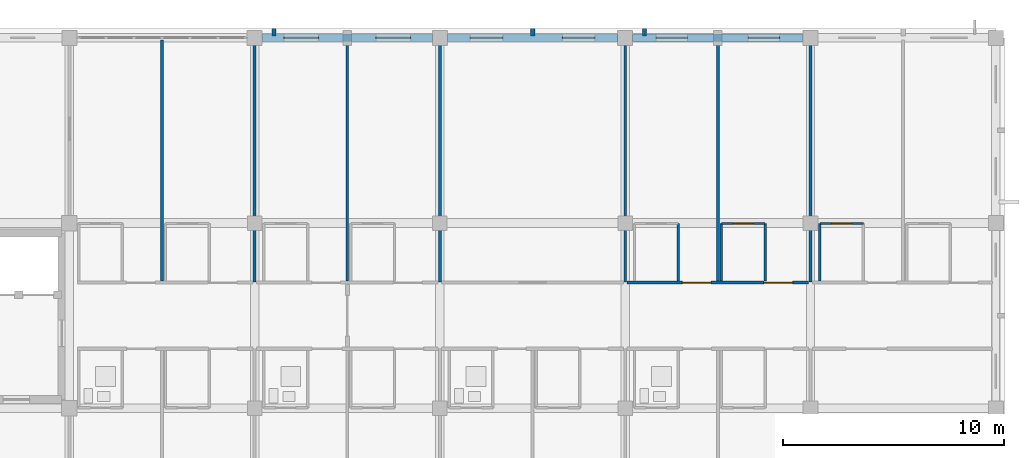
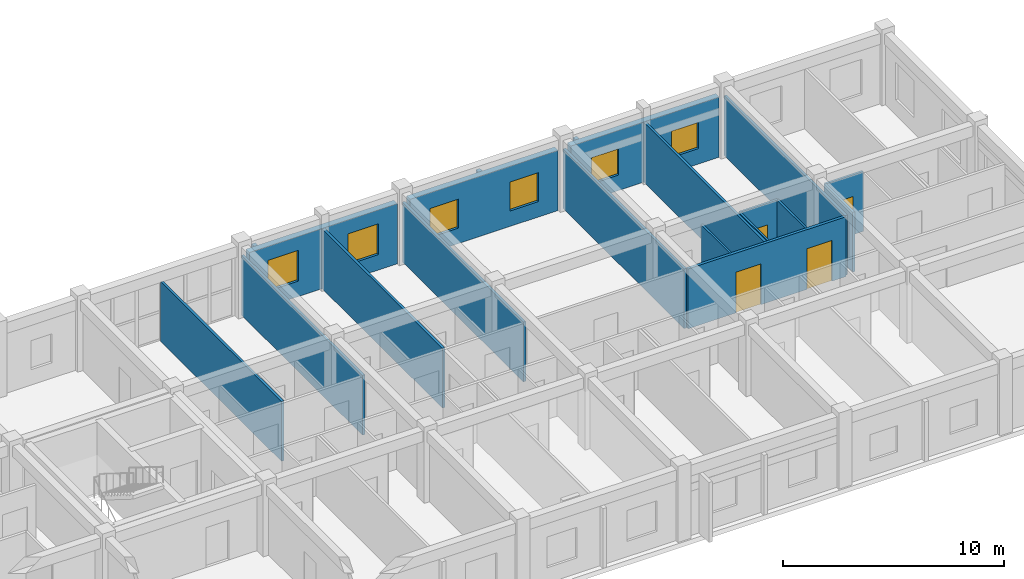
# One storey, part 123 of 140: 20 walls, 6 windows, 4 doors, 10 openings.
"""IFC4 building model written with IfcOpenShell, lengths in metres."""

from ifc_helpers import new_model, si_unit, direction, frame, frame_2d, origin, place, context, subcontext, project, spatial, rectangle, extrude, material, layer, layer_set, type_object, element, fill, save


model = new_model("IFC4")

# Units and contexts
model_context = context("Model", 3, precision=1e-05, world=origin(), true_north=direction((0.0, 1.0)))
body_context = subcontext(model_context, "Body", "Model", "MODEL_VIEW")
ifc_project = project(units=[si_unit("LENGTHUNIT", "METRE"), si_unit("AREAUNIT", "SQUARE_METRE"), si_unit("VOLUMEUNIT", "CUBIC_METRE"), si_unit("PLANEANGLEUNIT", "RADIAN"), si_unit("MASSUNIT", "GRAM", prefix="KILO")], contexts=[model_context])

# Site, building, storey
site_placement = place(None, origin())
site = spatial("IfcSite", under=ifc_project, at=site_placement, CompositionType="ELEMENT")
building_placement = place(site_placement, origin())
building = spatial("IfcBuilding", under=site, at=building_placement, Name="Trelvath General Hospital", CompositionType="ELEMENT")
storey_placement = place(building_placement, frame((0.0, 0.0, 16.199951171875)))
storey = spatial("IfcBuildingStorey", under=building, at=storey_placement, Name="L04", CompositionType="ELEMENT", Elevation=16.199951171875)

# Walls
ifc_material_1 = material(Name="Precast concrete C40/50", Category="concrete")
ifc_layer_1 = layer(ifc_material_1, 0.199951171875)
ifc_layer_set_1 = layer_set([ifc_layer_1], Name="Precast concrete C40/50")
wall_type_1 = type_object("IfcWallType", Name="BriseSoleilRib 200", PredefinedType="ELEMENTEDWALL", material=ifc_layer_set_1)
for number, where, z_axis, x_axis, name in (
    (1, (101.676025390625, 117.675048828125, 0.0), (0.0, 0.0, 1.0), (0.0, 1.0, 0.0), "Precast Concrete Brise-Soleil Rib Fin L04-345"),
    (2, (113.39990234375, 117.675048828125, 0.0), (0.0, 0.0, 1.0), (0.0, 1.0, 0.0), "Precast Concrete Brise-Soleil Rib Fin L04-349"),
    (3, (118.47607421875, 117.675048828125, 0.0), (0.0, 0.0, 1.0), (0.0, 1.0, 0.0), "Precast Concrete Brise-Soleil Rib Fin L04-351"),
):
    element("IfcWall", number, at=place(storey_placement, frame(where, z_axis=z_axis, x_axis=x_axis)), inside=storey, type_object=wall_type_1, Name=name, PredefinedType="ELEMENTEDWALL", context=body_context, shape_type="SweptSolid", body=[
        extrude(rectangle(XDim=0.33984375, YDim=0.199951171875, at=frame_2d((0.169921875, 0.0))), origin(), (0.0, 0.0, 1.0), 3.300048828125),
    ])

# Wall, openings, doors
ifc_material_2 = material(Name="Gypsum acoustic steel-stud partition", Category="steel")
ifc_layer_2 = layer(ifc_material_2, 0.14990234375)
ifc_layer_set_2 = layer_set([ifc_layer_2], Name="Gypsum acoustic steel-stud partition")
wall_type_2 = type_object("IfcWallType", Name="ClinicalPartition 150", PredefinedType="PARTITIONING", material=ifc_layer_set_2)
wall_1_placement = place(storey_placement, frame((125.919921875, 106.5, 0.0), z_axis=(0.0, 0.0, 1.0), x_axis=(-1.0, 0.0, 0.0)))
wall_1 = element("IfcWall", 4, at=wall_1_placement, inside=storey, type_object=wall_type_2, Name="Corridor Partition N L04-1695", PredefinedType="PARTITIONING", context=body_context, shape_type="SweptSolid", body=[
    extrude(rectangle(XDim=8.239990234375, YDim=0.14990234375, at=frame_2d((4.1201171875, 0.0))), origin(), (0.0, 0.0, 1.0), 3.300048828125),
])
opening_1_placement = place(wall_1_placement, frame((0.72998046875, 0.0, 0.0)))
opening_1 = element("IfcOpeningElement", 5, at=opening_1_placement, cuts=wall_1, Name="Opening D-4-1136", PredefinedType="OPENING", context=body_context, shape_type="SweptSolid", body=[
    extrude(rectangle(XDim=1.300048828125, YDim=2.25, at=frame_2d((0.64990234375, 1.125))), frame((0.0, 0.0849609375, 0.0), z_axis=(0.0, -1.0, 0.0), x_axis=(1.0, 0.0, 0.0)), (0.0, 0.0, 1.0), 0.169921875),
])
opening_2_placement = place(wall_1_placement, frame((4.429931640625, 0.0, 0.0)))
opening_2 = element("IfcOpeningElement", 6, at=opening_2_placement, cuts=wall_1, Name="Opening D-4-1137", PredefinedType="OPENING", context=body_context, shape_type="SweptSolid", body=[
    extrude(rectangle(XDim=1.300048828125, YDim=2.25, at=frame_2d((0.64990234375, 1.125))), frame((0.0, 0.0849609375, 0.0), z_axis=(0.0, -1.0, 0.0), x_axis=(1.0, 0.0, 0.0)), (0.0, 0.0, 1.0), 0.169921875),
])
ifc_material_3 = material(Name="Hospital bed-leaf timber door", Category="wood")
door_type_1 = type_object("IfcDoorType", Name="Door PatientBed 1300x2250", OperationType="NOTDEFINED", PredefinedType="DOOR", material=ifc_material_3)
door_1_placement = place(opening_1_placement, origin())
door_1 = element("IfcDoor", 7, at=door_1_placement, inside=storey, type_object=door_type_1, Name="Patient Room Door N L04-1136", OperationType="SINGLE_SWING_LEFT", OverallHeight=2.25, OverallWidth=1.300048828125, PredefinedType="DOOR", context=body_context, shape_type="SweptSolid", body=[
    extrude(rectangle(XDim=1.300048828125, YDim=2.25, at=frame_2d((0.64990234375, 1.125))), frame((0.0, 0.02490234375, 0.0), z_axis=(0.0, -1.0, 0.0), x_axis=(1.0, 0.0, 0.0)), (0.0, 0.0, 1.0), 0.050048828125),
])
fill(opening_1, door_1)
door_2_placement = place(opening_2_placement, origin())
door_2 = element("IfcDoor", 8, at=door_2_placement, inside=storey, type_object=door_type_1, Name="Patient Room Door N L04-1137", OperationType="SINGLE_SWING_LEFT", OverallHeight=2.25, OverallWidth=1.300048828125, PredefinedType="DOOR", context=body_context, shape_type="SweptSolid", body=[
    extrude(rectangle(XDim=1.300048828125, YDim=2.25, at=frame_2d((0.64990234375, 1.125))), frame((0.0, 0.02490234375, 0.0), z_axis=(0.0, -1.0, 0.0), x_axis=(1.0, 0.0, 0.0)), (0.0, 0.0, 1.0), 0.050048828125),
])
fill(opening_2, door_2)

# Walls
ifc_material_4 = material(Name="Moisture-resistant tile partition")
ifc_layer_3 = layer(ifc_material_4, 0.110107421875)
ifc_layer_set_3 = layer_set([ifc_layer_3], Name="Moisture-resistant tile partition")
wall_type_3 = type_object("IfcWallType", Name="EnSuiteWetWall 110", PredefinedType="PARTITIONING", material=ifc_layer_set_3)
for number, where, z_axis, x_axis, name in (
    (9, (120.0, 106.570068359375, 0.0), (0.0, 0.0, 1.0), (0.0, 1.0, 0.0), "En-Suite E Wall N L04-1698"),
    (10, (121.9599609375, 106.570068359375, 0.0), (0.0, 0.0, 1.0), (0.0, 1.0, 0.0), "En-Suite W Wall N L04-1700"),
    (11, (123.93994140625, 106.570068359375, 0.0), (0.0, 0.0, 1.0), (0.0, 1.0, 0.0), "En-Suite E Wall N L04-1701"),
):
    element("IfcWall", number, at=place(storey_placement, frame(where, z_axis=z_axis, x_axis=x_axis)), inside=storey, type_object=wall_type_3, Name=name, PredefinedType="PARTITIONING", context=body_context, shape_type="SweptSolid", body=[
        extrude(rectangle(XDim=2.60986328125, YDim=0.110107421875, at=frame_2d((1.304931640625, 0.0))), origin(), (0.0, 0.0, 1.0), 3.300048828125),
    ])

# Wall, opening, door
wall_2_placement = place(storey_placement, frame((121.9599609375, 109.179931640625, 0.0), z_axis=(0.0, 0.0, 1.0), x_axis=(1.0, 0.0, 0.0)))
wall_2 = element("IfcWall", 12, at=wall_2_placement, inside=storey, type_object=wall_type_3, Name="En-Suite Bathroom N Partition L04-1702", PredefinedType="PARTITIONING", context=body_context, shape_type="SweptSolid", body=[
    extrude(rectangle(XDim=1.97998046875, YDim=0.110107421875, at=frame_2d((0.989990234375, 0.0))), origin(), (0.0, 0.0, 1.0), 3.300048828125),
])
opening_3_placement = place(wall_2_placement, frame((0.5400390625, 0.0, 0.0)))
opening_3 = element("IfcOpeningElement", 13, at=opening_3_placement, cuts=wall_2, Name="Opening D-4-1139", PredefinedType="OPENING", context=body_context, shape_type="SweptSolid", body=[
    extrude(rectangle(XDim=0.89990234375, YDim=2.10009765625, at=frame_2d((0.449951171875, 1.050048828125))), frame((0.0, 0.06494140625, 0.0), z_axis=(0.0, -1.0, 0.0), x_axis=(1.0, 0.0, 0.0)), (0.0, 0.0, 1.0), 0.130126953125),
])
ifc_material_5 = material(Name="Moisture-sealed timber leaf", Category="wood")
door_type_2 = type_object("IfcDoorType", Name="Door EnSuite 900x2100", OperationType="NOTDEFINED", PredefinedType="DOOR", material=ifc_material_5)
door_3_placement = place(opening_3_placement, origin())
door_3 = element("IfcDoor", 14, at=door_3_placement, inside=storey, type_object=door_type_2, Name="En-Suite Bathroom N Door L04-1139", OperationType="SINGLE_SWING_LEFT", OverallHeight=2.10009765625, OverallWidth=0.89990234375, PredefinedType="DOOR", context=body_context, shape_type="SweptSolid", body=[
    extrude(rectangle(XDim=0.89990234375, YDim=2.10009765625, at=frame_2d((0.449951171875, 1.050048828125))), frame((0.0, 0.02490234375, 0.0), z_axis=(0.0, -1.0, 0.0), x_axis=(1.0, 0.0, 0.0)), (0.0, 0.0, 1.0), 0.050048828125),
])
fill(opening_3, door_3)

# Wall
wall_3_placement = place(storey_placement, frame((126.419921875, 106.570068359375, 0.0), z_axis=(0.0, 0.0, 1.0), x_axis=(0.0, 1.0, 0.0)))
element("IfcWall", 15, at=wall_3_placement, inside=storey, type_object=wall_type_3, Name="En-Suite W Wall N L04-1708", PredefinedType="PARTITIONING", context=body_context, shape_type="SweptSolid", body=[
    extrude(rectangle(XDim=2.60986328125, YDim=0.110107421875, at=frame_2d((1.304931640625, 0.0))), origin(), (0.0, 0.0, 1.0), 3.300048828125),
])

# Wall, opening, door
wall_4_placement = place(storey_placement, frame((126.419921875, 109.179931640625, 0.0), z_axis=(0.0, 0.0, 1.0), x_axis=(1.0, 0.0, 0.0)))
wall_4 = element("IfcWall", 16, at=wall_4_placement, inside=storey, type_object=wall_type_3, Name="En-Suite Bathroom N Partition L04-1710", PredefinedType="PARTITIONING", context=body_context, shape_type="SweptSolid", body=[
    extrude(rectangle(XDim=1.97998046875, YDim=0.110107421875, at=frame_2d((0.989990234375, 0.0))), origin(), (0.0, 0.0, 1.0), 3.300048828125),
])
opening_4_placement = place(wall_4_placement, frame((0.5400390625, 0.0, 0.0)))
opening_4 = element("IfcOpeningElement", 17, at=opening_4_placement, cuts=wall_4, Name="Opening D-4-1143", PredefinedType="OPENING", context=body_context, shape_type="SweptSolid", body=[
    extrude(rectangle(XDim=0.89990234375, YDim=2.10009765625, at=frame_2d((0.449951171875, 1.050048828125))), frame((0.0, 0.06494140625, 0.0), z_axis=(0.0, -1.0, 0.0), x_axis=(1.0, 0.0, 0.0)), (0.0, 0.0, 1.0), 0.130126953125),
])
door_4_placement = place(opening_4_placement, origin())
door_4 = element("IfcDoor", 18, at=door_4_placement, inside=storey, type_object=door_type_2, Name="En-Suite Bathroom N Door L04-1143", OperationType="SINGLE_SWING_LEFT", OverallHeight=2.10009765625, OverallWidth=0.89990234375, PredefinedType="DOOR", context=body_context, shape_type="SweptSolid", body=[
    extrude(rectangle(XDim=0.89990234375, YDim=2.10009765625, at=frame_2d((0.449951171875, 1.050048828125))), frame((0.0, 0.02490234375, 0.0), z_axis=(0.0, -1.0, 0.0), x_axis=(1.0, 0.0, 0.0)), (0.0, 0.0, 1.0), 0.050048828125),
])
fill(opening_4, door_4)

# Wall, openings, windows
ifc_material_6 = material(Name="Concrete C35/45", Category="concrete")
ifc_layer_4 = layer(ifc_material_6, 0.320068359375)
ifc_layer_set_4 = layer_set([ifc_layer_4], Name="Concrete C35/45")
wall_type_4 = type_object("IfcWallType", Name="ExtThermalWall 320", PredefinedType="SOLIDWALL", material=ifc_layer_set_4)
wall_5_placement = place(storey_placement, frame((101.135009765625, 117.60009765625, 0.0), z_axis=(0.0, 0.0, 1.0), x_axis=(1.0, 0.0, 0.0)))
wall_5 = element("IfcWall", 19, at=wall_5_placement, inside=storey, type_object=wall_type_4, Name="Exterior Concrete Wall L04-473", PredefinedType="SOLIDWALL", context=body_context, shape_type="SweptSolid", body=[
    extrude(rectangle(XDim=7.72998046875, YDim=0.320068359375, at=frame_2d((3.864990234375, 0.0))), origin(), (0.0, 0.0, 1.0), 3.320068359375),
])
opening_5_placement = place(wall_5_placement, frame((0.98779296875, 0.0, 0.85009765625)))
opening_5 = element("IfcOpeningElement", 20, at=opening_5_placement, cuts=wall_5, Name="Opening WN-4-775", PredefinedType="OPENING", context=body_context, shape_type="SweptSolid", body=[
    extrude(rectangle(XDim=1.580078125, YDim=1.699951171875, at=frame_2d((0.7900390625, 0.85009765625))), frame((0.0, 0.169921875, 0.0), z_axis=(0.0, -1.0, 0.0), x_axis=(1.0, 0.0, 0.0)), (0.0, 0.0, 1.0), 0.340087890625),
])
opening_6_placement = place(wall_5_placement, frame((5.162109375, 0.0, 0.85009765625)))
opening_6 = element("IfcOpeningElement", 21, at=opening_6_placement, cuts=wall_5, Name="Opening WN-4-776", PredefinedType="OPENING", context=body_context, shape_type="SweptSolid", body=[
    extrude(rectangle(XDim=1.580078125, YDim=1.699951171875, at=frame_2d((0.7900390625, 0.85009765625))), frame((0.0, 0.169921875, 0.0), z_axis=(0.0, -1.0, 0.0), x_axis=(1.0, 0.0, 0.0)), (0.0, 0.0, 1.0), 0.340087890625),
])
ifc_material_7 = material(Name="Low-E laminated glass", Category="glass")
window_type_1 = type_object("IfcWindowType", Name="Window Recovery 1580x1700", PartitioningType="DOUBLE_PANEL_VERTICAL", PredefinedType="WINDOW", material=ifc_material_7)
window_1_placement = place(opening_5_placement, origin())
window_1 = element("IfcWindow", 22, at=window_1_placement, inside=storey, type_object=window_type_1, Name="Solar Reveal Window L04-775", OverallHeight=1.699951171875, OverallWidth=1.580078125, PartitioningType="SINGLE_PANEL", PredefinedType="WINDOW", context=body_context, shape_type="SweptSolid", body=[
    extrude(rectangle(XDim=1.580078125, YDim=1.699951171875, at=frame_2d((0.7900390625, 0.85009765625))), frame((0.0, 0.030029296875, 0.0), z_axis=(0.0, -1.0, 0.0), x_axis=(1.0, 0.0, 0.0)), (0.0, 0.0, 1.0), 0.06005859375),
])
fill(opening_5, window_1)
window_2_placement = place(opening_6_placement, origin())
window_2 = element("IfcWindow", 23, at=window_2_placement, inside=storey, type_object=window_type_1, Name="Solar Reveal Window L04-776", OverallHeight=1.699951171875, OverallWidth=1.580078125, PartitioningType="SINGLE_PANEL", PredefinedType="WINDOW", context=body_context, shape_type="SweptSolid", body=[
    extrude(rectangle(XDim=1.580078125, YDim=1.699951171875, at=frame_2d((0.7900390625, 0.85009765625))), frame((0.0, 0.030029296875, 0.0), z_axis=(0.0, -1.0, 0.0), x_axis=(1.0, 0.0, 0.0)), (0.0, 0.0, 1.0), 0.06005859375),
])
fill(opening_6, window_2)

wall_6_placement = place(storey_placement, frame((109.534912109375, 117.60009765625, 0.0), z_axis=(0.0, 0.0, 1.0), x_axis=(1.0, 0.0, 0.0)))
wall_6 = element("IfcWall", 24, at=wall_6_placement, inside=storey, type_object=wall_type_4, Name="Exterior Concrete Wall L04-480", PredefinedType="SOLIDWALL", context=body_context, shape_type="SweptSolid", body=[
    extrude(rectangle(XDim=7.72998046875, YDim=0.320068359375, at=frame_2d((3.864990234375, 0.0))), origin(), (0.0, 0.0, 1.0), 3.320068359375),
])
opening_7_placement = place(wall_6_placement, frame((1.037841796875, 0.0, 0.85009765625)))
opening_7 = element("IfcOpeningElement", 25, at=opening_7_placement, cuts=wall_6, Name="Opening WN-4-787", PredefinedType="OPENING", context=body_context, shape_type="SweptSolid", body=[
    extrude(rectangle(XDim=1.47998046875, YDim=1.60009765625, at=frame_2d((0.739990234375, 0.800048828125))), frame((0.0, 0.169921875, 0.0), z_axis=(0.0, -1.0, 0.0), x_axis=(1.0, 0.0, 0.0)), (0.0, 0.0, 1.0), 0.340087890625),
])
opening_8_placement = place(wall_6_placement, frame((5.212158203125, 0.0, 0.85009765625)))
opening_8 = element("IfcOpeningElement", 26, at=opening_8_placement, cuts=wall_6, Name="Opening WN-4-788", PredefinedType="OPENING", context=body_context, shape_type="SweptSolid", body=[
    extrude(rectangle(XDim=1.47998046875, YDim=1.60009765625, at=frame_2d((0.739990234375, 0.800048828125))), frame((0.0, 0.169921875, 0.0), z_axis=(0.0, -1.0, 0.0), x_axis=(1.0, 0.0, 0.0)), (0.0, 0.0, 1.0), 0.340087890625),
])
ifc_material_8 = material(Name="Low-E laminated glass", Category="glass")
window_type_2 = type_object("IfcWindowType", Name="Window Clinic 1480x1600", PartitioningType="DOUBLE_PANEL_VERTICAL", PredefinedType="WINDOW", material=ifc_material_8)
window_3_placement = place(opening_7_placement, origin())
window_3 = element("IfcWindow", 27, at=window_3_placement, inside=storey, type_object=window_type_2, Name="Solar Reveal Window L04-787", OverallHeight=1.60009765625, OverallWidth=1.47998046875, PartitioningType="SINGLE_PANEL", PredefinedType="WINDOW", context=body_context, shape_type="SweptSolid", body=[
    extrude(rectangle(XDim=1.47998046875, YDim=1.60009765625, at=frame_2d((0.739990234375, 0.800048828125))), frame((0.0, 0.030029296875, 0.0), z_axis=(0.0, -1.0, 0.0), x_axis=(1.0, 0.0, 0.0)), (0.0, 0.0, 1.0), 0.06005859375),
])
fill(opening_7, window_3)
window_4_placement = place(opening_8_placement, origin())
window_4 = element("IfcWindow", 28, at=window_4_placement, inside=storey, type_object=window_type_2, Name="Solar Reveal Window L04-788", OverallHeight=1.60009765625, OverallWidth=1.47998046875, PartitioningType="SINGLE_PANEL", PredefinedType="WINDOW", context=body_context, shape_type="SweptSolid", body=[
    extrude(rectangle(XDim=1.47998046875, YDim=1.60009765625, at=frame_2d((0.739990234375, 0.800048828125))), frame((0.0, 0.030029296875, 0.0), z_axis=(0.0, -1.0, 0.0), x_axis=(1.0, 0.0, 0.0)), (0.0, 0.0, 1.0), 0.06005859375),
])
fill(opening_8, window_4)

wall_7_placement = place(storey_placement, frame((117.93505859375, 117.60009765625, 0.0), z_axis=(0.0, 0.0, 1.0), x_axis=(1.0, 0.0, 0.0)))
wall_7 = element("IfcWall", 29, at=wall_7_placement, inside=storey, type_object=wall_type_4, Name="Exterior Concrete Wall L04-482", PredefinedType="SOLIDWALL", context=body_context, shape_type="SweptSolid", body=[
    extrude(rectangle(XDim=7.72998046875, YDim=0.320068359375, at=frame_2d((3.864990234375, 0.0))), origin(), (0.0, 0.0, 1.0), 3.320068359375),
])
opening_9_placement = place(wall_7_placement, frame((1.06787109375, 0.0, 0.85009765625)))
opening_9 = element("IfcOpeningElement", 30, at=opening_9_placement, cuts=wall_7, Name="Opening WN-4-791", PredefinedType="OPENING", context=body_context, shape_type="SweptSolid", body=[
    extrude(rectangle(XDim=1.419921875, YDim=1.449951171875, at=frame_2d((0.7099609375, 0.72509765625))), frame((0.0, 0.169921875, 0.0), z_axis=(0.0, -1.0, 0.0), x_axis=(1.0, 0.0, 0.0)), (0.0, 0.0, 1.0), 0.340087890625),
])
opening_10_placement = place(wall_7_placement, frame((5.2421875, 0.0, 0.85009765625)))
opening_10 = element("IfcOpeningElement", 31, at=opening_10_placement, cuts=wall_7, Name="Opening WN-4-792", PredefinedType="OPENING", context=body_context, shape_type="SweptSolid", body=[
    extrude(rectangle(XDim=1.419921875, YDim=1.449951171875, at=frame_2d((0.7099609375, 0.72509765625))), frame((0.0, 0.169921875, 0.0), z_axis=(0.0, -1.0, 0.0), x_axis=(1.0, 0.0, 0.0)), (0.0, 0.0, 1.0), 0.340087890625),
])
ifc_material_9 = material(Name="Low-E laminated glass", Category="glass")
window_type_3 = type_object("IfcWindowType", Name="Window Lab 1420x1450", PartitioningType="DOUBLE_PANEL_VERTICAL", PredefinedType="WINDOW", material=ifc_material_9)
window_5_placement = place(opening_9_placement, origin())
window_5 = element("IfcWindow", 32, at=window_5_placement, inside=storey, type_object=window_type_3, Name="Solar Reveal Window L04-791", OverallHeight=1.449951171875, OverallWidth=1.419921875, PartitioningType="SINGLE_PANEL", PredefinedType="WINDOW", context=body_context, shape_type="SweptSolid", body=[
    extrude(rectangle(XDim=1.419921875, YDim=1.449951171875, at=frame_2d((0.7099609375, 0.72509765625))), frame((0.0, 0.030029296875, 0.0), z_axis=(0.0, -1.0, 0.0), x_axis=(1.0, 0.0, 0.0)), (0.0, 0.0, 1.0), 0.06005859375),
])
fill(opening_9, window_5)
window_6_placement = place(opening_10_placement, origin())
window_6 = element("IfcWindow", 33, at=window_6_placement, inside=storey, type_object=window_type_3, Name="Solar Reveal Window L04-792", OverallHeight=1.449951171875, OverallWidth=1.419921875, PartitioningType="SINGLE_PANEL", PredefinedType="WINDOW", context=body_context, shape_type="SweptSolid", body=[
    extrude(rectangle(XDim=1.419921875, YDim=1.449951171875, at=frame_2d((0.7099609375, 0.72509765625))), frame((0.0, 0.030029296875, 0.0), z_axis=(0.0, -1.0, 0.0), x_axis=(1.0, 0.0, 0.0)), (0.0, 0.0, 1.0), 0.06005859375),
])
fill(opening_10, window_6)

# Walls
ifc_material_10 = material(Name="Gypsum acoustic steel-stud partition", Category="steel")
ifc_layer_5 = layer(ifc_material_10, 0.1298828125)
ifc_layer_set_5 = layer_set([ifc_layer_5], Name="Gypsum acoustic steel-stud partition")
wall_type_5 = type_object("IfcWallType", Name="WardPartition 130", PredefinedType="PARTITIONING", material=ifc_layer_set_5)
wall_8_placement = place(storey_placement, frame((96.60009765625, 106.570068359375, 0.0), z_axis=(0.0, 0.0, 1.0), x_axis=(0.0, 1.0, 0.0)))
element("IfcWall", 34, at=wall_8_placement, inside=storey, type_object=wall_type_5, Name="Room Dividing Partition N L04-1647", PredefinedType="PARTITIONING", context=body_context, shape_type="SweptSolid", body=[
    extrude(rectangle(XDim=10.929931640625, YDim=0.1298828125, at=frame_2d((5.46484375, 0.0))), origin(), (0.0, 0.0, 1.0), 3.300048828125),
])
wall_9_placement = place(storey_placement, frame((100.800048828125, 106.52001953125, 0.0), z_axis=(0.0, 0.0, 1.0), x_axis=(0.0, 1.0, 0.0)))
element("IfcWall", 35, at=wall_9_placement, inside=storey, type_object=wall_type_5, Name="Inter-Bay Ward Partition N L04-1655", PredefinedType="PARTITIONING", context=body_context, shape_type="SweptSolid", body=[
    extrude(rectangle(XDim=10.93994140625, YDim=0.1298828125, at=frame_2d((5.469970703125, 0.0))), origin(), (0.0, 0.0, 1.0), 3.300048828125),
])
wall_10_placement = place(storey_placement, frame((105.0, 106.570068359375, 0.0), z_axis=(0.0, 0.0, 1.0), x_axis=(0.0, 1.0, 0.0)))
element("IfcWall", 36, at=wall_10_placement, inside=storey, type_object=wall_type_5, Name="Room Dividing Partition N L04-1666", PredefinedType="PARTITIONING", context=body_context, shape_type="SweptSolid", body=[
    extrude(rectangle(XDim=10.929931640625, YDim=0.1298828125, at=frame_2d((5.46484375, 0.0))), origin(), (0.0, 0.0, 1.0), 3.300048828125),
])
for number, where, z_axis, x_axis, name in (
    (37, (109.199951171875, 106.52001953125, 0.0), (0.0, 0.0, 1.0), (0.0, 1.0, 0.0), "Inter-Bay Ward Partition N L04-1675"),
    (38, (117.60009765625, 106.52001953125, 0.0), (0.0, 0.0, 1.0), (0.0, 1.0, 0.0), "Inter-Bay Ward Partition N L04-1686"),
):
    element("IfcWall", number, at=place(storey_placement, frame(where, z_axis=z_axis, x_axis=x_axis)), inside=storey, type_object=wall_type_5, Name=name, PredefinedType="PARTITIONING", context=body_context, shape_type="SweptSolid", body=[
        extrude(rectangle(XDim=10.93994140625, YDim=0.1298828125, at=frame_2d((5.469970703125, 0.0))), origin(), (0.0, 0.0, 1.0), 3.300048828125),
    ])
wall_11_placement = place(storey_placement, frame((121.800048828125, 106.570068359375, 0.0), z_axis=(0.0, 0.0, 1.0), x_axis=(0.0, 1.0, 0.0)))
element("IfcWall", 39, at=wall_11_placement, inside=storey, type_object=wall_type_5, Name="Room Dividing Partition N L04-1696", PredefinedType="PARTITIONING", context=body_context, shape_type="SweptSolid", body=[
    extrude(rectangle(XDim=10.929931640625, YDim=0.1298828125, at=frame_2d((5.46484375, 0.0))), origin(), (0.0, 0.0, 1.0), 3.300048828125),
])
wall_12_placement = place(storey_placement, frame((126.0, 106.52001953125, 0.0), z_axis=(0.0, 0.0, 1.0), x_axis=(0.0, 1.0, 0.0)))
element("IfcWall", 40, at=wall_12_placement, inside=storey, type_object=wall_type_5, Name="Inter-Bay Ward Partition N L04-1704", PredefinedType="PARTITIONING", context=body_context, shape_type="SweptSolid", body=[
    extrude(rectangle(XDim=10.93994140625, YDim=0.1298828125, at=frame_2d((5.469970703125, 0.0))), origin(), (0.0, 0.0, 1.0), 3.300048828125),
])

save(model, "model.ifc")
